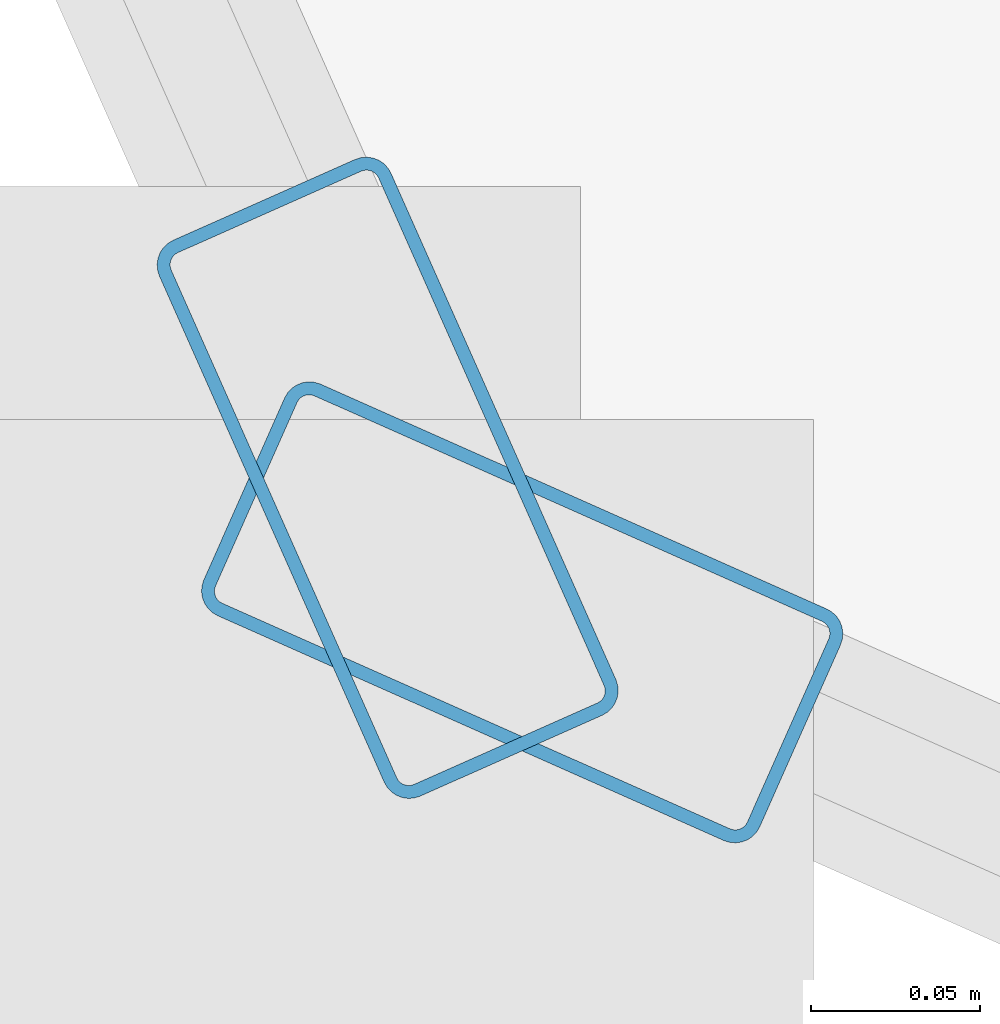
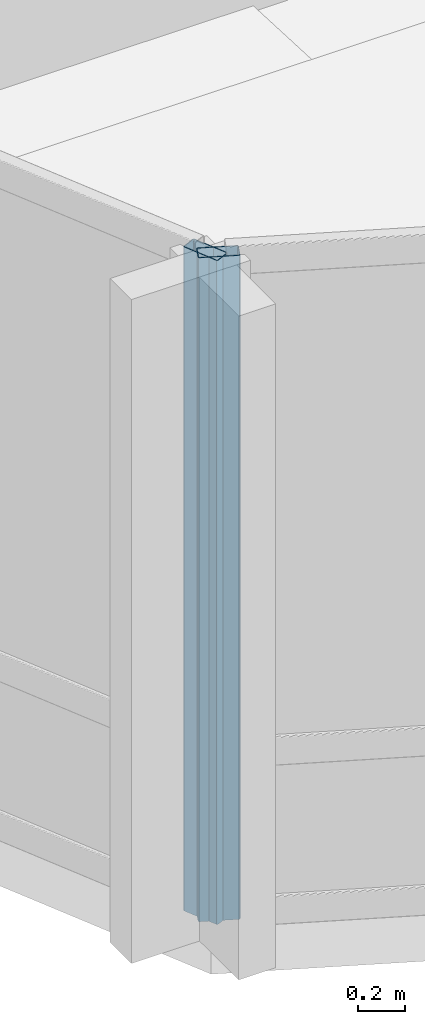
# One storey, part 2 of 34: 2 members, 2 elements without a shape of their own.
"""IFC4 building model written with IfcOpenShell, lengths in metres."""

from ifc_helpers import new_model, si_unit, direction, frame, origin, origin_2d, place, context, subcontext, project, spatial, hollow_rectangle, extrude, material, layer, layer_set, material_profile, profile_set, type_object, element, aggregate, save


model = new_model("IFC4")

# Units and contexts
model_context = context("Model", 3, precision=1e-05, world=origin(), true_north=direction((0.0, 1.0)))
body_context = subcontext(model_context, "Body", "Model", "MODEL_VIEW")
ifc_project = project(units=[si_unit("LENGTHUNIT", "METRE"), si_unit("AREAUNIT", "SQUARE_METRE"), si_unit("VOLUMEUNIT", "CUBIC_METRE"), si_unit("PLANEANGLEUNIT", "RADIAN"), si_unit("MASSUNIT", "GRAM", prefix="KILO")], contexts=[model_context])

# Site, building, storey
site_placement = place(None, origin())
site = spatial("IfcSite", under=ifc_project, at=site_placement, CompositionType="ELEMENT")
building_placement = place(site_placement, origin())
building = spatial("IfcBuilding", under=site, at=building_placement, Name="Solvaryn Broadcast Tower", CompositionType="ELEMENT")
storey_placement = place(building_placement, frame((0.0, 0.0, 43.39990234375)))
storey = spatial("IfcBuildingStorey", under=building, at=storey_placement, Name="L09", CompositionType="ELEMENT", Elevation=43.39990234375)

# Curtain wall, member
ifc_material_1 = material(Name="Aluminium and Terracotta Unitised Curtain Wall", Category="masonry")
ifc_layer = layer(ifc_material_1, 0.199951171875)
ifc_layer_set = layer_set([ifc_layer], Name="CW-SYS2-LOWMID")
curtain_wall_type = type_object("IfcCurtainWallType", Name="CW-SYS2-LOWMID", PredefinedType="NOTDEFINED", material=ifc_layer_set)
curtain_wall_1_placement = place(storey_placement, origin())
curtain_wall_1 = element("IfcCurtainWall", 1, at=curtain_wall_1_placement, inside=storey, type_object=curtain_wall_type, Name="L09 Curtain Wall DR2", PredefinedType="NOTDEFINED")
ifc_material_2 = material(Name="Anodised Aluminium 6063-T6", Category="aluminium")
ifc_material_profile = material_profile(ifc_material_2, hollow_rectangle(XDim=0.074951171875, YDim=0.179931640625, WallThickness=0.00390625, InnerFilletRadius=0.00390625, OuterFilletRadius=0.008056640625, at=origin_2d()))
ifc_profile_set = profile_set([ifc_material_profile], Name="Anodised Aluminium 6063-T6")
member_type = type_object("IfcMemberType", Name="CW-MUL-180", PredefinedType="MULLION", material=ifc_profile_set)
member_1_placement = place(storey_placement, frame((7.834716796875, 7.87451171875, 0.0), z_axis=(0.0, 0.0, 1.0), x_axis=(0.913918257271, 0.405898286554, 0.0)))
member_1 = element("IfcMember", 2, at=member_1_placement, type_object=member_type, Name="CWS2 mullion 2", PredefinedType="MULLION", context=body_context, shape_type="SweptSolid", body=[
    extrude(hollow_rectangle(XDim=0.074951171875, YDim=0.179931640625, WallThickness=0.00390625, InnerFilletRadius=0.00390625, OuterFilletRadius=0.008056640625, at=origin_2d()), origin(), (0.0, 0.0, 1.0), 3.420166015625),
])
aggregate(curtain_wall_1, [member_1])

curtain_wall_2_placement = place(storey_placement, origin())
curtain_wall_2 = element("IfcCurtainWall", 3, at=curtain_wall_2_placement, inside=storey, type_object=curtain_wall_type, Name="L09 Curtain Wall DR3", PredefinedType="NOTDEFINED")
member_2_placement = place(storey_placement, frame((7.87451171875, 7.834716796875, 0.0), z_axis=(0.0, 0.0, 1.0), x_axis=(0.405898286554, 0.913918257271, 0.0)))
member_2 = element("IfcMember", 4, at=member_2_placement, type_object=member_type, Name="CWS2 mullion 1", PredefinedType="MULLION", context=body_context, shape_type="SweptSolid", body=[
    extrude(hollow_rectangle(XDim=0.074951171875, YDim=0.179931640625, WallThickness=0.00390625, InnerFilletRadius=0.00390625, OuterFilletRadius=0.008056640625, at=origin_2d()), origin(), (0.0, 0.0, 1.0), 3.420166015625),
])
aggregate(curtain_wall_2, [member_2])

save(model, "model.ifc")
